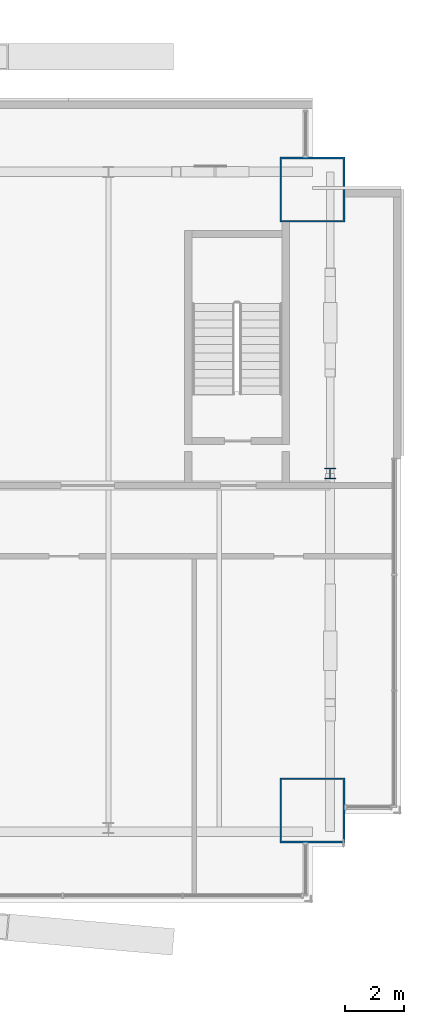
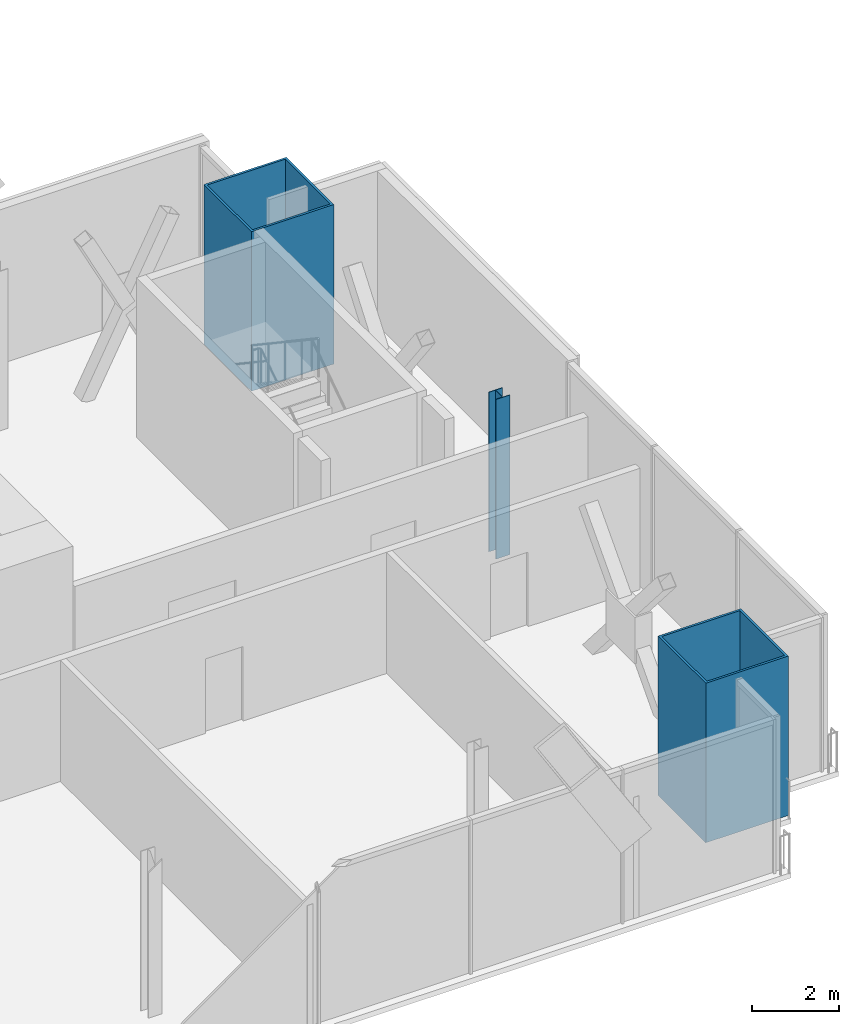
# One storey, part 4 of 19: 3 columns.
"""IFC4 building model written with IfcOpenShell, lengths in metres."""

from ifc_helpers import new_model, si_unit, direction, frame, origin, origin_2d, place, context, subcontext, project, spatial, hollow_rectangle, i_section, extrude, material, material_profile, profile_set, type_object, element, save


model = new_model("IFC4")

# Units and contexts
model_context = context("Model", 3, precision=1e-05, world=origin(), true_north=direction((0.0, 1.0)))
body_context = subcontext(model_context, "Body", "Model", "MODEL_VIEW")
ifc_project = project(units=[si_unit("LENGTHUNIT", "METRE"), si_unit("AREAUNIT", "SQUARE_METRE"), si_unit("VOLUMEUNIT", "CUBIC_METRE"), si_unit("PLANEANGLEUNIT", "RADIAN"), si_unit("MASSUNIT", "GRAM", prefix="KILO")], contexts=[model_context])

# Site, building, storey
site_placement = place(None, origin())
site = spatial("IfcSite", under=ifc_project, at=site_placement, CompositionType="ELEMENT")
building_placement = place(site_placement, origin())
building = spatial("IfcBuilding", under=site, at=building_placement, Name="Bicima Exchange Tower", CompositionType="ELEMENT")
storey_placement = place(building_placement, frame((0.0, 0.0, 297.5)))
storey = spatial("IfcBuildingStorey", under=building, at=storey_placement, Name="L67", CompositionType="ELEMENT", Elevation=297.5)

# Columns
ifc_material_1 = material(Name="Steel ASTM A572 Gr 50", Category="steel")
ifc_material_profile_1 = material_profile(ifc_material_1, hollow_rectangle(XDim=2.199951171875, YDim=2.199951171875, WallThickness=0.06005859375, at=origin_2d()))
ifc_profile_set_1 = profile_set([ifc_material_profile_1], Name="Steel ASTM A572 Gr 50")
column_type_1 = type_object("IfcColumnType", Name="Mega column BOX 2200x2200x60", PredefinedType="COLUMN", material=ifc_profile_set_1)
for number, where, z_axis, x_axis, name in (
    (1, (33.0, -23.993896484375, 0.0), (0.0, 0.0, 1.0), (1.0, 0.0, 0.0), "Mega column mega+33.0f"),
    (2, (33.0, -3.0, 0.0), (0.0, 0.0, 1.0), (1.0, 0.0, 0.0), "Mega column mega+33.0r"),
):
    element("IfcColumn", number, at=place(storey_placement, frame(where, z_axis=z_axis, x_axis=x_axis)), inside=storey, type_object=column_type_1, Name=name, PredefinedType="COLUMN", context=body_context, shape_type="SweptSolid", body=[
        extrude(hollow_rectangle(XDim=2.199951171875, YDim=2.199951171875, WallThickness=0.06005859375, at=origin_2d()), origin(), (0.0, 0.0, 1.0), 4.5),
    ])
ifc_material_2 = material(Name="Steel ASTM A992 Gr 50", Category="steel")
ifc_material_profile_2 = material_profile(ifc_material_2, i_section(OverallWidth=0.368408203125, OverallDepth=0.355712890625, WebThickness=0.01123046875, FlangeThickness=0.01806640625, at=origin_2d()))
ifc_profile_set_2 = profile_set([ifc_material_profile_2], Name="Steel ASTM A992 Gr 50")
column_type_2 = type_object("IfcColumnType", Name="Perimeter column W14x90", PredefinedType="COLUMN", material=ifc_profile_set_2)
column_placement = place(storey_placement, frame((33.60009765625, -12.60009765625, 0.0), z_axis=(0.0, 0.0, 1.0), x_axis=(1.0, 0.0, 0.0)))
element("IfcColumn", 3, at=column_placement, inside=storey, type_object=column_type_2, Name="End column end+33.6e", PredefinedType="COLUMN", context=body_context, shape_type="SweptSolid", body=[
    extrude(i_section(OverallWidth=0.368408203125, OverallDepth=0.355712890625, WebThickness=0.01123046875, FlangeThickness=0.01806640625, at=origin_2d()), origin(), (0.0, 0.0, 1.0), 4.5),
])

save(model, "model.ifc")
